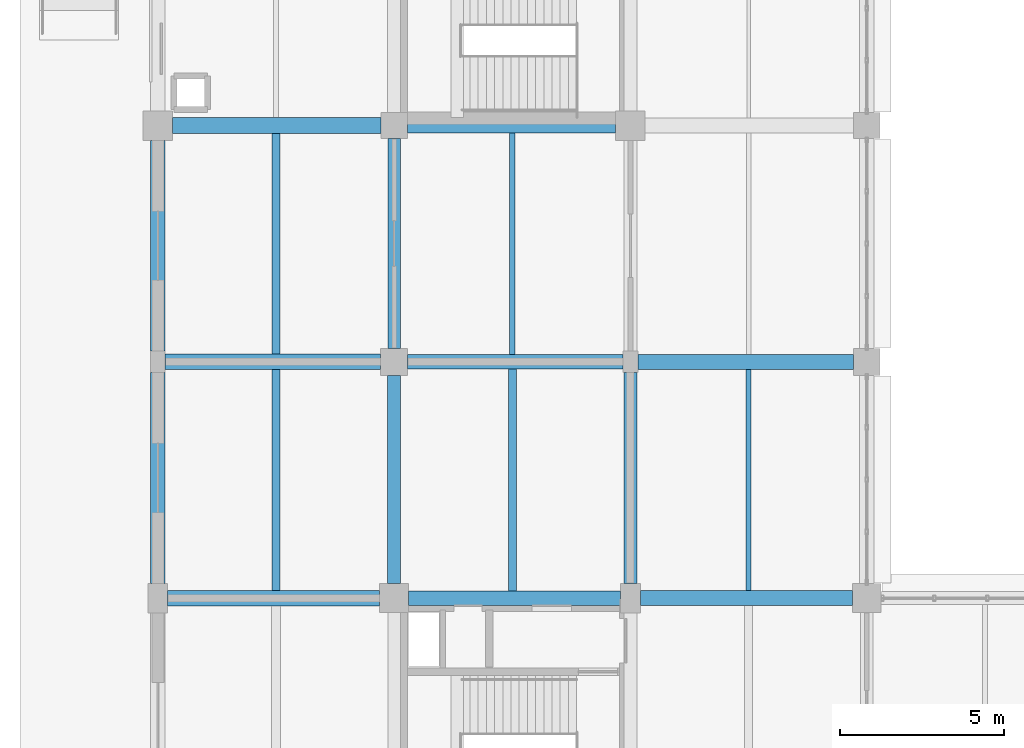
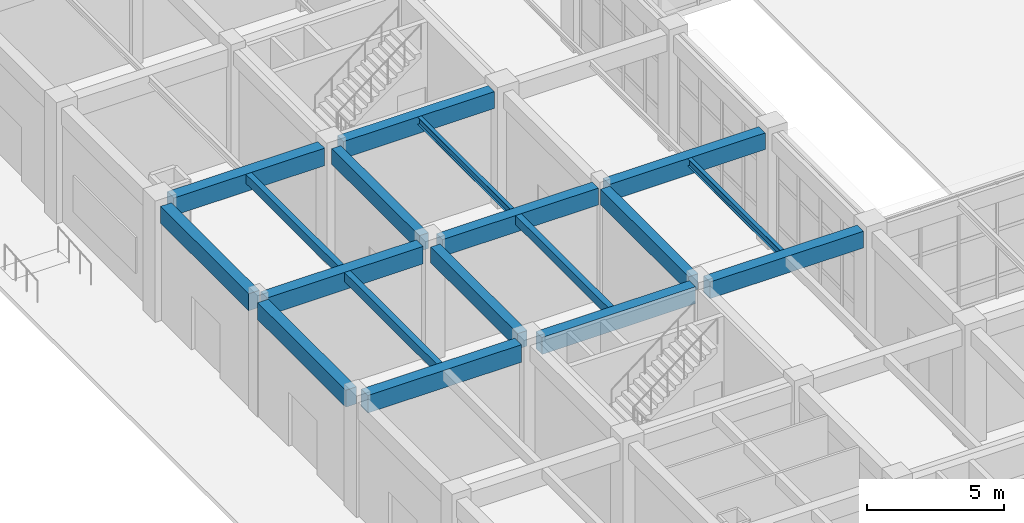
# One storey, part 20 of 160: 18 beams.
"""IFC4 building model written with IfcOpenShell, lengths in metres."""

from ifc_helpers import new_model, si_unit, direction, frame, origin, origin_2d, place, context, subcontext, project, spatial, rectangle, i_section, extrude, material, material_profile, profile_set, type_object, element, save


model = new_model("IFC4")

# Units and contexts
model_context = context("Model", 3, precision=1e-05, world=origin(), true_north=direction((0.0, 1.0)))
body_context = subcontext(model_context, "Body", "Model", "MODEL_VIEW")
ifc_project = project(units=[si_unit("LENGTHUNIT", "METRE"), si_unit("AREAUNIT", "SQUARE_METRE"), si_unit("VOLUMEUNIT", "CUBIC_METRE"), si_unit("PLANEANGLEUNIT", "RADIAN"), si_unit("MASSUNIT", "GRAM", prefix="KILO")], contexts=[model_context])

# Site, building, storey
site_placement = place(None, origin())
site = spatial("IfcSite", under=ifc_project, at=site_placement, CompositionType="ELEMENT")
building_placement = place(site_placement, origin())
building = spatial("IfcBuilding", under=site, at=building_placement, Name="Thalmaran Polytechnic", CompositionType="ELEMENT")
storey_placement = place(building_placement, origin())
storey = spatial("IfcBuildingStorey", under=building, at=storey_placement, Name="L00", CompositionType="ELEMENT", Elevation=0.0)

# Beams
ifc_material_1 = material(Name="Concrete C40/50", Category="concrete")
ifc_material_profile_1 = material_profile(ifc_material_1, rectangle(XDim=0.449951171875, YDim=0.75, at=origin_2d()), Name="RC 450x750")
ifc_profile_set_1 = profile_set([ifc_material_profile_1], Name="Concrete C40/50")
beam_type_1 = type_object("IfcBeamType", Name="BM-RC03", PredefinedType="BEAM", material=ifc_profile_set_1)
beam_1_placement = place(storey_placement, frame((7.639892578125, 28.800048828125, 4.715087890625), z_axis=(1.0, 0.0, 0.0), x_axis=(0.0, 1.0, 0.0)))
element("IfcBeam", 1, at=beam_1_placement, inside=storey, type_object=beam_type_1, Name="Grid Beam B03 L00 X(1,4)", PredefinedType="BEAM", context=body_context, shape_type="SweptSolid", body=[
    extrude(rectangle(XDim=0.449951171875, YDim=0.75, at=origin_2d()), origin(), (0.0, 0.0, 1.0), 6.460205078125),
])
beam_2_placement = place(storey_placement, frame((7.610107421875, 36.0, 4.715087890625), z_axis=(1.0, 0.0, 0.0), x_axis=(0.0, 1.0, 0.0)))
element("IfcBeam", 2, at=beam_2_placement, inside=storey, type_object=beam_type_1, Name="Grid Beam B03 L00 X(1,5)", PredefinedType="BEAM", context=body_context, shape_type="SweptSolid", body=[
    extrude(rectangle(XDim=0.449951171875, YDim=0.75, at=origin_2d()), origin(), (0.0, 0.0, 1.0), 6.56494140625),
])
beam_3_placement = place(storey_placement, frame((7.60009765625, 43.199951171875, 4.715087890625), z_axis=(1.0, 0.0, 0.0), x_axis=(0.0, 1.0, 0.0)))
element("IfcBeam", 3, at=beam_3_placement, inside=storey, type_object=beam_type_1, Name="Grid Beam B03 L00 X(1,6)", PredefinedType="BEAM", context=body_context, shape_type="SweptSolid", body=[
    extrude(rectangle(XDim=0.449951171875, YDim=0.75, at=origin_2d()), origin(), (0.0, 0.0, 1.0), 6.349853515625),
])
ifc_material_profile_2 = material_profile(ifc_material_1, rectangle(XDim=0.389892578125, YDim=0.695068359375, at=origin_2d()), Name="RC 390x695")
ifc_profile_set_2 = profile_set([ifc_material_profile_2], Name="Concrete C40/50")
beam_type_2 = type_object("IfcBeamType", Name="BM-RC10", PredefinedType="BEAM", material=ifc_profile_set_2)
beam_4_placement = place(storey_placement, frame((7.199951171875, 36.409912109375, 4.742431640625), z_axis=(0.0, 1.0, 0.0), x_axis=(-1.0, 0.0, 0.0)))
element("IfcBeam", 4, at=beam_4_placement, inside=storey, type_object=beam_type_2, Name="Grid Beam B10 L00 Y(1,5)", PredefinedType="BEAM", context=body_context, shape_type="SweptSolid", body=[
    extrude(rectangle(XDim=0.389892578125, YDim=0.695068359375, at=origin_2d()), origin(), (0.0, 0.0, 1.0), 6.39013671875),
])
ifc_material_2 = material(Name="Steel S355", Category="steel")
ifc_material_profile_3 = material_profile(ifc_material_2, i_section(OverallWidth=0.159912109375, OverallDepth=0.330078125, WebThickness=0.007568359375, FlangeThickness=0.011474609375, at=origin_2d()), Name="IPE 330")
ifc_profile_set_3 = profile_set([ifc_material_profile_3], Name="Steel S355")
beam_type_3 = type_object("IfcBeamType", Name="BM-SJ02", PredefinedType="JOIST", material=ifc_profile_set_3)
beam_5_placement = place(storey_placement, frame((10.800048828125, 36.22509765625, 4.925048828125), z_axis=(0.0, 1.0, 0.0), x_axis=(-1.0, 0.0, 0.0)))
element("IfcBeam", 5, at=beam_5_placement, inside=storey, type_object=beam_type_3, Name="Secondary Floor Rib SJ02 L00 (1,5)", PredefinedType="JOIST", context=body_context, shape_type="SweptSolid", body=[
    extrude(i_section(OverallWidth=0.159912109375, OverallDepth=0.330078125, WebThickness=0.007568359375, FlangeThickness=0.011474609375, at=origin_2d()), origin(), (0.0, 0.0, 1.0), 6.75),
])
beam_6_placement = place(storey_placement, frame((18.0, 29.030029296875, 4.925048828125), z_axis=(0.0, 1.0, 0.0), x_axis=(-1.0, 0.0, 0.0)))
element("IfcBeam", 6, at=beam_6_placement, inside=storey, type_object=beam_type_3, Name="Secondary Floor Rib SJ02 L00 (2,4)", PredefinedType="JOIST", context=body_context, shape_type="SweptSolid", body=[
    extrude(i_section(OverallWidth=0.159912109375, OverallDepth=0.330078125, WebThickness=0.007568359375, FlangeThickness=0.011474609375, at=origin_2d()), origin(), (0.0, 0.0, 1.0), 6.739990234375),
])
ifc_material_profile_4 = material_profile(ifc_material_1, rectangle(XDim=0.449951171875, YDim=0.7548828125, at=origin_2d()), Name="RC 450x755")
ifc_profile_set_4 = profile_set([ifc_material_profile_4], Name="Concrete C40/50")
beam_type_4 = type_object("IfcBeamType", Name="BM-SP02", PredefinedType="SPANDREL", material=ifc_profile_set_4)
for number, where, z_axis, x_axis, name in (
    (7, (0.0, 29.25, 4.71240234375), (0.0, 1.0, 0.0), (-1.0, 0.0, 0.0), "Grid Beam SP02 L00 Y(0,4)"),
    (8, (0.0, 36.324951171875, 4.71240234375), (0.0, 1.0, 0.0), (-1.0, 0.0, 0.0), "Grid Beam SP02 L00 Y(0,5)"),
):
    element("IfcBeam", number, at=place(storey_placement, frame(where, z_axis=z_axis, x_axis=x_axis)), inside=storey, type_object=beam_type_4, Name=name, PredefinedType="SPANDREL", context=body_context, shape_type="SweptSolid", body=[
        extrude(rectangle(XDim=0.449951171875, YDim=0.7548828125, at=origin_2d()), origin(), (0.0, 0.0, 1.0), 6.425048828125),
    ])
ifc_material_profile_5 = material_profile(ifc_material_1, rectangle(XDim=0.47998046875, YDim=0.780029296875, at=origin_2d()), Name="RC 480x780")
ifc_profile_set_5 = profile_set([ifc_material_profile_5], Name="Concrete C40/50")
beam_type_5 = type_object("IfcBeamType", Name="BM-ZB01", PredefinedType="BEAM", material=ifc_profile_set_5)
beam_7_placement = place(storey_placement, frame((0.300048828125, 28.800048828125, 4.699951171875), z_axis=(1.0, 0.0, 0.0), x_axis=(0.0, 1.0, 0.0)))
element("IfcBeam", 9, at=beam_7_placement, inside=storey, type_object=beam_type_5, Name="Grid Beam ZB01 L00 X(0,4)", PredefinedType="BEAM", context=body_context, shape_type="SweptSolid", body=[
    extrude(rectangle(XDim=0.47998046875, YDim=0.780029296875, at=origin_2d()), origin(), (0.0, 0.0, 1.0), 6.4599609375),
])
beam_8_placement = place(storey_placement, frame((0.22509765625, 36.0, 4.699951171875), z_axis=(1.0, 0.0, 0.0), x_axis=(0.0, 1.0, 0.0)))
element("IfcBeam", 10, at=beam_8_placement, inside=storey, type_object=beam_type_5, Name="Grid Beam ZB01 L00 X(0,5)", PredefinedType="BEAM", context=body_context, shape_type="SweptSolid", body=[
    extrude(rectangle(XDim=0.47998046875, YDim=0.780029296875, at=origin_2d()), origin(), (0.0, 0.0, 1.0), 6.56494140625),
])
beam_9_placement = place(storey_placement, frame((0.449951171875, 43.199951171875, 4.699951171875), z_axis=(1.0, 0.0, 0.0), x_axis=(0.0, 1.0, 0.0)))
element("IfcBeam", 11, at=beam_9_placement, inside=storey, type_object=beam_type_5, Name="Grid Beam ZB01 L00 X(0,6)", PredefinedType="BEAM", context=body_context, shape_type="SweptSolid", body=[
    extrude(rectangle(XDim=0.47998046875, YDim=0.780029296875, at=origin_2d()), origin(), (0.0, 0.0, 1.0), 6.35009765625),
])
ifc_material_profile_6 = material_profile(ifc_material_1, rectangle(XDim=0.4599609375, YDim=0.739990234375, at=origin_2d()), Name="RC 460x740")
ifc_profile_set_6 = profile_set([ifc_material_profile_6], Name="Concrete C40/50")
beam_type_6 = type_object("IfcBeamType", Name="BM-ZB02", PredefinedType="BEAM", material=ifc_profile_set_6)
beam_10_placement = place(storey_placement, frame((14.699951171875, 28.800048828125, 4.719970703125), z_axis=(1.0, 0.0, 0.0), x_axis=(0.0, 1.0, 0.0)))
element("IfcBeam", 12, at=beam_10_placement, inside=storey, type_object=beam_type_6, Name="Grid Beam ZB02 L00 X(2,4)", PredefinedType="BEAM", context=body_context, shape_type="SweptSolid", body=[
    extrude(rectangle(XDim=0.4599609375, YDim=0.739990234375, at=origin_2d()), origin(), (0.0, 0.0, 1.0), 6.4599609375),
])
beam_11_placement = place(storey_placement, frame((14.625, 36.0, 4.719970703125), z_axis=(1.0, 0.0, 0.0), x_axis=(0.0, 1.0, 0.0)))
element("IfcBeam", 13, at=beam_11_placement, inside=storey, type_object=beam_type_6, Name="Grid Beam ZB02 L00 X(2,5)", PredefinedType="BEAM", context=body_context, shape_type="SweptSolid", body=[
    extrude(rectangle(XDim=0.4599609375, YDim=0.739990234375, at=origin_2d()), origin(), (0.0, 0.0, 1.0), 6.56494140625),
])
ifc_material_profile_7 = material_profile(ifc_material_1, rectangle(XDim=0.39990234375, YDim=0.695068359375, at=origin_2d()), Name="RC 400x695")
ifc_profile_set_7 = profile_set([ifc_material_profile_7], Name="Concrete C40/50")
beam_type_7 = type_object("IfcBeamType", Name="BM-ZB08", PredefinedType="BEAM", material=ifc_profile_set_7)
beam_12_placement = place(storey_placement, frame((7.199951171875, 29.239990234375, 4.742431640625), z_axis=(0.0, 1.0, 0.0), x_axis=(-1.0, 0.0, 0.0)))
element("IfcBeam", 14, at=beam_12_placement, inside=storey, type_object=beam_type_7, Name="Grid Beam ZB08 L00 Y(1,4)", PredefinedType="BEAM", context=body_context, shape_type="SweptSolid", body=[
    extrude(rectangle(XDim=0.39990234375, YDim=0.695068359375, at=origin_2d()), origin(), (0.0, 0.0, 1.0), 6.35009765625),
])
beam_13_placement = place(storey_placement, frame((14.39990234375, 29.25, 4.742431640625), z_axis=(0.0, 1.0, 0.0), x_axis=(-1.0, 0.0, 0.0)))
element("IfcBeam", 15, at=beam_13_placement, inside=storey, type_object=beam_type_7, Name="Grid Beam ZB08 L00 Y(2,4)", PredefinedType="BEAM", context=body_context, shape_type="SweptSolid", body=[
    extrude(rectangle(XDim=0.39990234375, YDim=0.695068359375, at=origin_2d()), origin(), (0.0, 0.0, 1.0), 6.425048828125),
])
ifc_material_profile_8 = material_profile(ifc_material_1, rectangle(XDim=0.25, YDim=0.419921875, at=origin_2d()), Name="RC 250x420")
ifc_profile_set_8 = profile_set([ifc_material_profile_8], Name="Concrete C40/50")
beam_type_8 = type_object("IfcBeamType", Name="BM-ZJ03", PredefinedType="JOIST", material=ifc_profile_set_8)
beam_14_placement = place(storey_placement, frame((3.60009765625, 29.0400390625, 4.8798828125), z_axis=(0.0, 1.0, 0.0), x_axis=(-1.0, 0.0, 0.0)))
element("IfcBeam", 16, at=beam_14_placement, inside=storey, type_object=beam_type_8, Name="Secondary Floor Rib ZJ03 L00 (0,4)", PredefinedType="JOIST", context=body_context, shape_type="SweptSolid", body=[
    extrude(rectangle(XDim=0.25, YDim=0.419921875, at=origin_2d()), origin(), (0.0, 0.0, 1.0), 6.719970703125),
])
ifc_material_profile_9 = material_profile(ifc_material_1, rectangle(XDim=0.239990234375, YDim=0.39990234375, at=origin_2d()), Name="RC 240x400")
ifc_profile_set_9 = profile_set([ifc_material_profile_9], Name="Concrete C40/50")
beam_type_9 = type_object("IfcBeamType", Name="BM-ZJ04", PredefinedType="JOIST", material=ifc_profile_set_9)
beam_15_placement = place(storey_placement, frame((3.60009765625, 36.239990234375, 4.889892578125), z_axis=(0.0, 1.0, 0.0), x_axis=(-1.0, 0.0, 0.0)))
element("IfcBeam", 17, at=beam_15_placement, inside=storey, type_object=beam_type_9, Name="Secondary Floor Rib ZJ04 L00 (0,5)", PredefinedType="JOIST", context=body_context, shape_type="SweptSolid", body=[
    extrude(rectangle(XDim=0.239990234375, YDim=0.39990234375, at=origin_2d()), origin(), (0.0, 0.0, 1.0), 6.719970703125),
])
beam_16_placement = place(storey_placement, frame((10.800048828125, 29.02490234375, 4.889892578125), z_axis=(0.0, 1.0, 0.0), x_axis=(-1.0, 0.0, 0.0)))
element("IfcBeam", 18, at=beam_16_placement, inside=storey, type_object=beam_type_9, Name="Secondary Floor Rib ZJ04 L00 (1,4)", PredefinedType="JOIST", context=body_context, shape_type="SweptSolid", body=[
    extrude(rectangle(XDim=0.239990234375, YDim=0.39990234375, at=origin_2d()), origin(), (0.0, 0.0, 1.0), 6.75),
])

save(model, "model.ifc")
